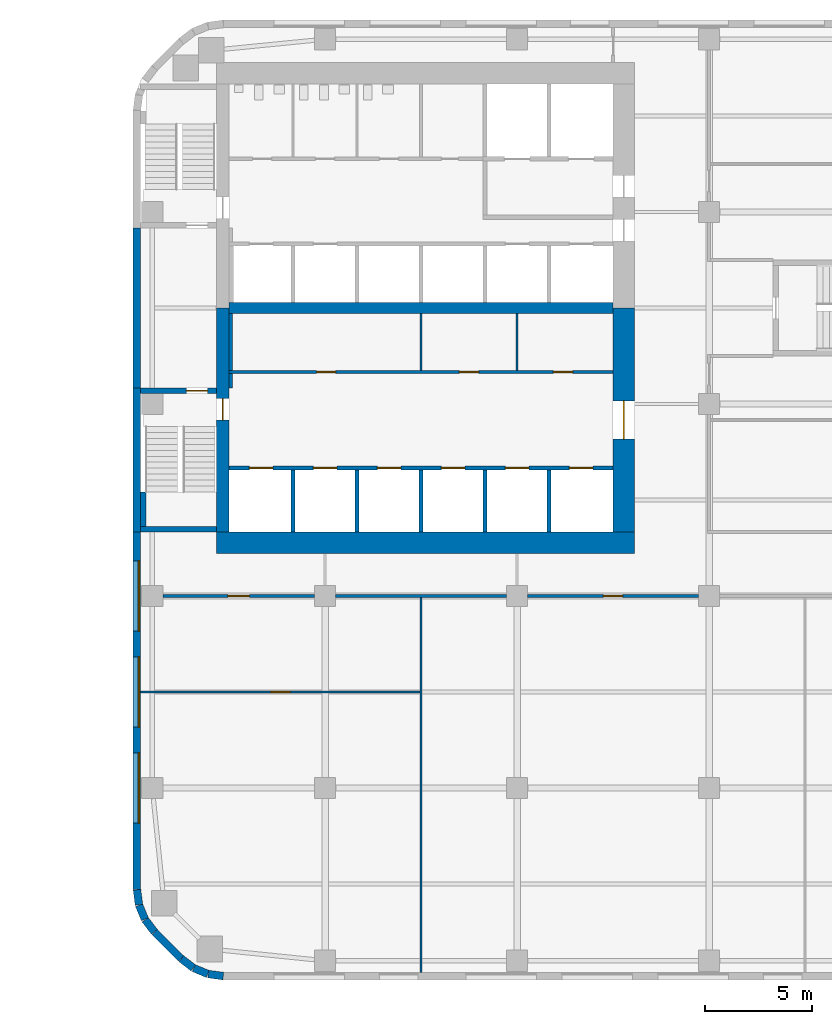
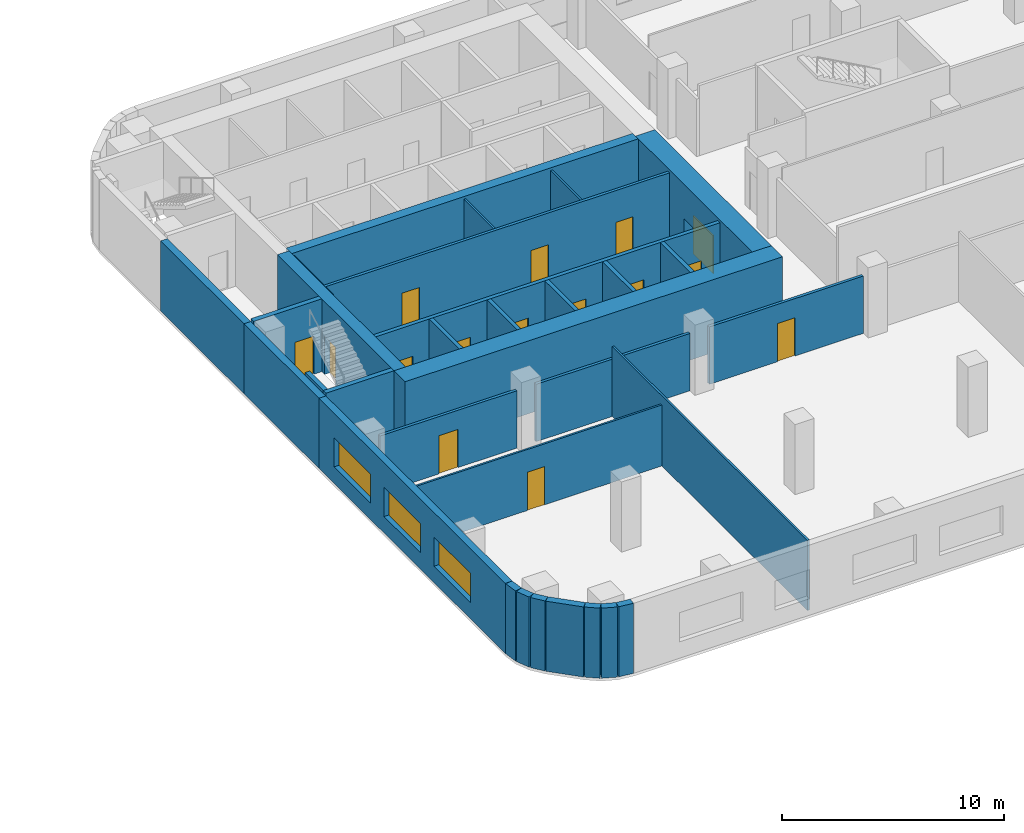
# One storey, part 9 of 16: 33 walls, 15 doors, 3 windows, 18 openings.
"""IFC4 building model written with IfcOpenShell, lengths in metres."""

import ifcopenshell
import ifcopenshell.guid

model = None  # the IFC model being written
_history = None  # IfcOwnerHistory: only IFC2X3 demands one
_inside = {}  # id of a spatial element -> (the spatial element, [elements in it])
_under = {}  # id of a project, library or spatial element -> (it, [spatial elements below it])
_declared = {}  # id of a project -> (the project, [libraries it declares])
_typed = {}  # id of a type object -> (the type object, [elements of that type])
_made_of = {}  # id of a material, layer set ... -> (it, [elements and type objects made of it])


def new_model(schema):
    """Start an empty IFC model of exactly this schema.

    Asked for "IFC4X3", IfcOpenShell would pick the latest addendum, in which some entities
    have other attributes; the version numbers below select the first issue.
    IFC2X3 requires an IfcOwnerHistory on every rooted entity: one is made here for all.
    """
    global model, _history
    if schema == "IFC4X3":
        model = ifcopenshell.file(schema_version=(4, 3, 0, 0))
    else:
        model = ifcopenshell.file(schema=schema)
    _inside.clear()
    _under.clear()
    _declared.clear()
    _typed.clear()
    _made_of.clear()
    _history = None
    if model.schema == "IFC2X3":
        org = make("IfcOrganization", Name="unknown")
        user = make(
            "IfcPersonAndOrganization",
            ThePerson=make("IfcPerson", FamilyName="unknown"),
            TheOrganization=org,
        )
        app = make(
            "IfcApplication",
            ApplicationDeveloper=org,
            Version="unknown",
            ApplicationFullName="unknown",
            ApplicationIdentifier="unknown",
        )
        _history = make(
            "IfcOwnerHistory",
            OwningUser=user,
            OwningApplication=app,
            ChangeAction="ADDED",
            CreationDate=0,
        )
    return model


def make(cls, **values):
    """One entity of the class cls with the attributes given. An attribute that is None is left unset."""
    return model.create_entity(
        cls, **{name: value for name, value in values.items() if value is not None}
    )


def rooted(cls, **values):
    """An entity with a GlobalId (a new one), such as an element, a storey or a relation."""
    return make(cls, GlobalId=ifcopenshell.guid.new(), OwnerHistory=_history, **values)


def si_unit(unit_type, name, prefix=None):
    """IfcSIUnit, for example si_unit("LENGTHUNIT", "METRE", prefix="MILLI")."""
    return make("IfcSIUnit", UnitType=unit_type, Prefix=prefix, Name=name)


def assignment(units):
    """IfcUnitAssignment: the units of a project."""
    return None if units is None else make("IfcUnitAssignment", Units=units)


def point(xyz):
    """IfcCartesianPoint."""
    return None if xyz is None else make("IfcCartesianPoint", Coordinates=xyz)


def direction(xyz):
    """IfcDirection."""
    return None if xyz is None else make("IfcDirection", DirectionRatios=xyz)


def frame(location, z_axis=None, x_axis=None):
    """IfcAxis2Placement3D, a coordinate frame: its origin and axes. An axis left out is left unset."""
    return make(
        "IfcAxis2Placement3D",
        Location=point(location),
        Axis=direction(z_axis),
        RefDirection=direction(x_axis),
    )


def frame_2d(location, x_axis=None):
    """IfcAxis2Placement2D, a coordinate frame in the plane: its origin and x axis."""
    return make(
        "IfcAxis2Placement2D", Location=point(location), RefDirection=direction(x_axis)
    )


def origin():
    """The frame at (0, 0, 0) with its axes left unset."""
    return frame((0.0, 0.0, 0.0))


def place(relative_to, where):
    """IfcLocalPlacement: puts the frame where relative to a parent placement (None: the world)."""
    return make(
        "IfcLocalPlacement", PlacementRelTo=relative_to, RelativePlacement=where
    )


def context(
    kind, dimensions, precision=None, world=None, true_north=None, identifier=None
):
    """IfcGeometricRepresentationContext, for example the 3D "Model" context."""
    return make(
        "IfcGeometricRepresentationContext",
        ContextIdentifier=identifier,
        ContextType=kind,
        CoordinateSpaceDimension=dimensions,
        Precision=precision,
        WorldCoordinateSystem=world,
        TrueNorth=true_north,
    )


def subcontext(parent, identifier, kind, view, scale=None):
    """IfcGeometricRepresentationSubContext, for example "Body" below "Model"."""
    return make(
        "IfcGeometricRepresentationSubContext",
        ContextIdentifier=identifier,
        ContextType=kind,
        ParentContext=parent,
        TargetScale=scale,
        TargetView=view,
    )


def project(units=None, contexts=None):
    """IfcProject with its units and contexts."""
    return rooted(
        "IfcProject",
        Name="project",
        RepresentationContexts=contexts,
        UnitsInContext=assignment(units),
    )


def spatial(cls, under=None, at=None, **own):
    """A site, building, storey or space (cls), placed at a placement, below another one or the project."""
    s = rooted(cls, ObjectPlacement=at, **own)
    if under is not None:
        _under.setdefault(under.id(), (under, []))[1].append(s)
    return s


def profile(cls, at=None, kind="AREA", **sizes):
    """A parametric profile (cls). Its sizes go by their IFC names, for example OverallWidth=200.0."""
    return make(cls, ProfileType=kind, Position=at, **sizes)


def rectangle(**sizes):
    """IfcRectangleProfileDef."""
    return profile("IfcRectangleProfileDef", **sizes)


def extrude(swept, where, along, depth):
    """IfcExtrudedAreaSolid: the profile swept, set in the frame where, extruded along a direction by depth."""
    return make(
        "IfcExtrudedAreaSolid",
        SweptArea=swept,
        Position=where,
        ExtrudedDirection=direction(along),
        Depth=depth,
    )


def shape(context_of_items, identifier, shape_type, items):
    """IfcShapeRepresentation: the items that make up one representation, for example the "Body"."""
    return make(
        "IfcShapeRepresentation",
        ContextOfItems=context_of_items,
        RepresentationIdentifier=identifier,
        RepresentationType=shape_type,
        Items=items,
    )


def material(Name=None, Category=None):
    """IfcMaterial."""
    return make("IfcMaterial", Name=Name, Category=Category)


def layer(
    of_material, thickness, ventilated=None, Name=None, Category=None, Priority=None
):
    """IfcMaterialLayer: one layer of a wall or slab, of a material (None: an air gap)."""
    return make(
        "IfcMaterialLayer",
        Material=of_material,
        LayerThickness=thickness,
        IsVentilated=ventilated,
        Name=Name,
        Category=Category,
        Priority=Priority,
    )


def layer_set(layers, Name=None):
    """IfcMaterialLayerSet."""
    return make("IfcMaterialLayerSet", MaterialLayers=layers, LayerSetName=Name)


def made_of(thing, what):
    """Note that an element or type object is made of a material, layer set ...; save() writes the relation."""
    if what is not None:
        _made_of.setdefault(what.id(), (what, []))[1].append(thing)
    return thing


def type_object(cls, material=None, **own):
    """A type object (cls), such as IfcWallType, which elements share."""
    return made_of(rooted(cls, **own), material)


def element(
    cls,
    number,
    at=None,
    inside=None,
    cuts=None,
    type_object=None,
    material=None,
    context=None,
    identifier="Body",
    shape_type=None,
    held_by="IfcProductDefinitionShape",
    body=None,
    shapes=None,
    **own,
):
    """One element of the class cls, such as IfcWall. Its Tag is "e" and its number.

    at: its placement. inside: the storey or other place that contains it. cuts: it is an
    opening in that element (IfcRelVoidsElement). A single representation is given by context,
    identifier, shape_type and body (its items); several are given by shapes. held_by: the class
    of the entity that holds the representations. save() writes the other relations.
    """
    e = rooted(cls, Tag="e%d" % number, ObjectPlacement=at, **own)
    if body is not None:
        shapes = [shape(context, identifier, shape_type, body)]
    if shapes is not None:
        e.Representation = make(held_by, Representations=shapes)
    if inside is not None:
        _inside.setdefault(inside.id(), (inside, []))[1].append(e)
    if cuts is not None:
        rooted(
            "IfcRelVoidsElement", RelatingBuildingElement=cuts, RelatedOpeningElement=e
        )
    if type_object is not None:
        _typed.setdefault(type_object.id(), (type_object, []))[1].append(e)
    return made_of(e, material)


def fill(opening, filler):
    """IfcRelFillsElement: the door or window that sits in an opening."""
    return rooted(
        "IfcRelFillsElement",
        RelatingOpeningElement=opening,
        RelatedBuildingElement=filler,
    )


def aggregate(whole, parts):
    """IfcRelAggregates: a whole, such as a stair, and the parts it consists of."""
    return rooted("IfcRelAggregates", RelatingObject=whole, RelatedObjects=parts)


def save(model, path):
    """Write the relations noted so far, then the file.

    IfcRelAggregates (storeys below a building ...), IfcRelContainedInSpatialStructure (elements
    in a storey), IfcRelDefinesByType, IfcRelAssociatesMaterial and IfcRelDeclares: one each for
    every whole, place, type object, material and project.
    """
    for whole, parts in _under.values():
        aggregate(whole, parts)
    for where, things in _inside.values():
        rooted(
            "IfcRelContainedInSpatialStructure",
            RelatedElements=things,
            RelatingStructure=where,
        )
    for kind, things in _typed.values():
        rooted("IfcRelDefinesByType", RelatedObjects=things, RelatingType=kind)
    for what, things in _made_of.values():
        rooted("IfcRelAssociatesMaterial", RelatedObjects=things, RelatingMaterial=what)
    for by, libraries in _declared.values():
        rooted("IfcRelDeclares", RelatingContext=by, RelatedDefinitions=libraries)
    model.write(path)


model = new_model("IFC4")

# Units and contexts
model_context = context("Model", 3, precision=1e-05, world=origin(), true_north=direction((0.0, 1.0)))
body_context = subcontext(model_context, "Body", "Model", "MODEL_VIEW")
ifc_project = project(units=[si_unit("LENGTHUNIT", "METRE"), si_unit("AREAUNIT", "SQUARE_METRE"), si_unit("VOLUMEUNIT", "CUBIC_METRE"), si_unit("PLANEANGLEUNIT", "RADIAN"), si_unit("MASSUNIT", "GRAM", prefix="KILO")], contexts=[model_context])

# Site, building, storey
site_placement = place(None, origin())
site = spatial("IfcSite", under=ifc_project, at=site_placement, CompositionType="ELEMENT")
building_placement = place(site_placement, origin())
building = spatial("IfcBuilding", under=site, at=building_placement, Name="Cinnabar Reach Civic Tower", CompositionType="ELEMENT")
storey_placement = place(building_placement, frame((0.0, 0.0, 34.0)))
storey = spatial("IfcBuildingStorey", under=building, at=storey_placement, Name="L07", CompositionType="ELEMENT", Elevation=34.0)

# Walls
ifc_material_1 = material(Name="Facing brick with insulated backing", Category="masonry")
ifc_layer_1 = layer(ifc_material_1, 0.36)
ifc_layer_set_1 = layer_set([ifc_layer_1], Name="Brick corner wall")
wall_type_1 = type_object("IfcWallType", Name="Brick corner wall", PredefinedType="STANDARD", material=ifc_layer_set_1)
for number, where, z_axis, x_axis, name in (
    (1, (0.183, 4.2314, 0.0), (0.0, 0.0, 1.0), (0.13055608231, -0.99144092581, 0.0), "Brick corner wall"),
    (2, (0.2819, 3.5027, 0.0), (0.0, 0.0, 1.0), (0.382702709855, -0.923871547278, 0.0), "Brick corner wall"),
):
    element("IfcWall", number, at=place(storey_placement, frame(where, z_axis=z_axis, x_axis=x_axis)), inside=storey, type_object=wall_type_1, Name=name, PredefinedType="STANDARD", context=body_context, shape_type="SweptSolid", body=[
        extrude(rectangle(XDim=0.7131, YDim=0.36, at=frame_2d((0.3565, 0.0))), origin(), (0.0, 0.0, 1.0), 3.85),
    ])
for number, where, z_axis, x_axis, name in (
    (3, (0.566, 2.8245, 0.0), (0.0, 0.0, 1.0), (0.608802368033, -0.793321924995, 0.0), "Brick corner wall"),
    (4, (2.2587, 1.0002, 0.0), (0.0, 0.0, 1.0), (0.793321924995, -0.608802368033, 0.0), "Brick corner wall"),
):
    element("IfcWall", number, at=place(storey_placement, frame(where, z_axis=z_axis, x_axis=x_axis)), inside=storey, type_object=wall_type_1, Name=name, PredefinedType="STANDARD", context=body_context, shape_type="SweptSolid", body=[
        extrude(rectangle(XDim=0.7132, YDim=0.36, at=frame_2d((0.3566, 0.0))), origin(), (0.0, 0.0, 1.0), 3.85),
    ])
for number, where, z_axis, x_axis, name in (
    (5, (2.8439, 0.5548, 0.0), (0.0, 0.0, 1.0), (0.923871547278, -0.382702709855, 0.0), "Brick corner wall"),
    (6, (3.5244, 0.2761, 0.0), (0.0, 0.0, 1.0), (0.99144092581, -0.13055608231, 0.0), "Brick corner wall"),
):
    element("IfcWall", number, at=place(storey_placement, frame(where, z_axis=z_axis, x_axis=x_axis)), inside=storey, type_object=wall_type_1, Name=name, PredefinedType="STANDARD", context=body_context, shape_type="SweptSolid", body=[
        extrude(rectangle(XDim=0.7131, YDim=0.36, at=frame_2d((0.3565, 0.0))), origin(), (0.0, 0.0, 1.0), 3.85),
    ])
ifc_layer_2 = layer(ifc_material_1, 0.36)
ifc_layer_set_2 = layer_set([ifc_layer_2], Name="Brick pier and spandrel wall")
wall_type_2 = type_object("IfcWallType", Name="Brick pier and spandrel wall", PredefinedType="STANDARD", material=ifc_layer_set_2)
wall_1_placement = place(storey_placement, frame((0.18, 35.25, 0.0), z_axis=(0.0, 0.0, 1.0), x_axis=(0.0, -1.0, 0.0)))
element("IfcWall", 7, at=wall_1_placement, inside=storey, type_object=wall_type_2, Name="Brick facade wall", PredefinedType="STANDARD", context=body_context, shape_type="SweptSolid", body=[
    extrude(rectangle(XDim=7.5, YDim=0.36, at=frame_2d((3.75, 0.0))), origin(), (0.0, 0.0, 1.0), 3.85),
])
wall_2_placement = place(storey_placement, frame((0.18, 27.75, 0.0), z_axis=(0.0, 0.0, 1.0), x_axis=(0.0, -1.0, 0.0)))
element("IfcWall", 8, at=wall_2_placement, inside=storey, type_object=wall_type_2, Name="Brick facade wall", PredefinedType="STANDARD", context=body_context, shape_type="SweptSolid", body=[
    extrude(rectangle(XDim=6.75, YDim=0.36, at=frame_2d((3.375, 0.0))), origin(), (0.0, 0.0, 1.0), 3.85),
])

# Wall, openings, windows
wall_3_placement = place(storey_placement, frame((0.18, 21.0, 0.0), z_axis=(0.0, 0.0, 1.0), x_axis=(0.0, -1.0, 0.0)))
wall_3 = element("IfcWall", 9, at=wall_3_placement, inside=storey, type_object=wall_type_2, Name="Brick facade wall", PredefinedType="STANDARD", context=body_context, shape_type="SweptSolid", body=[
    extrude(rectangle(XDim=16.7574, YDim=0.36, at=frame_2d((8.3787, 0.0))), origin(), (0.0, 0.0, 1.0), 3.85),
])
opening_1_placement = place(wall_3_placement, frame((1.35, 0.0, 0.9)))
opening_1 = element("IfcOpeningElement", 10, at=opening_1_placement, cuts=wall_3, Name="Opening W1075", PredefinedType="OPENING", context=body_context, shape_type="SweptSolid", body=[
    extrude(rectangle(XDim=3.3, YDim=1.6, at=frame_2d((1.65, 0.8))), frame((0.0, 0.19, 0.0), z_axis=(0.0, -1.0, 0.0), x_axis=(1.0, 0.0, 0.0)), (0.0, 0.0, 1.0), 0.38),
])
opening_2_placement = place(wall_3_placement, frame((5.85, 0.0, 0.9)))
opening_2 = element("IfcOpeningElement", 11, at=opening_2_placement, cuts=wall_3, Name="Opening W1076", PredefinedType="OPENING", context=body_context, shape_type="SweptSolid", body=[
    extrude(rectangle(XDim=3.3, YDim=1.6, at=frame_2d((1.65, 0.8))), frame((0.0, 0.19, 0.0), z_axis=(0.0, -1.0, 0.0), x_axis=(1.0, 0.0, 0.0)), (0.0, 0.0, 1.0), 0.38),
])
opening_3_placement = place(wall_3_placement, frame((10.35, 0.0, 0.9)))
opening_3 = element("IfcOpeningElement", 12, at=opening_3_placement, cuts=wall_3, Name="Opening W1077", PredefinedType="OPENING", context=body_context, shape_type="SweptSolid", body=[
    extrude(rectangle(XDim=3.3, YDim=1.6, at=frame_2d((1.65, 0.8))), frame((0.0, 0.19, 0.0), z_axis=(0.0, -1.0, 0.0), x_axis=(1.0, 0.0, 0.0)), (0.0, 0.0, 1.0), 0.38),
])
ifc_material_2 = material(Name="Clear double glazing in aluminium frame", Category="aluminium")
window_type = type_object("IfcWindowType", Name="Deep-set window A", PartitioningType="SINGLE_PANEL", PredefinedType="WINDOW", material=ifc_material_2)
window_1_placement = place(opening_1_placement, origin())
window_1 = element("IfcWindow", 13, at=window_1_placement, inside=storey, type_object=window_type, Name="Window west face", OverallHeight=1.6, OverallWidth=3.3, PartitioningType="SINGLE_PANEL", PredefinedType="WINDOW", context=body_context, shape_type="SweptSolid", body=[
    extrude(rectangle(XDim=3.3, YDim=1.6, at=frame_2d((1.65, 0.8))), frame((0.0, 0.13, 0.0), z_axis=(0.0, -1.0, 0.0), x_axis=(1.0, 0.0, 0.0)), (0.0, 0.0, 1.0), 0.06),
])
fill(opening_1, window_1)
window_2_placement = place(opening_2_placement, origin())
window_2 = element("IfcWindow", 14, at=window_2_placement, inside=storey, type_object=window_type, Name="Window west face", OverallHeight=1.6, OverallWidth=3.3, PartitioningType="SINGLE_PANEL", PredefinedType="WINDOW", context=body_context, shape_type="SweptSolid", body=[
    extrude(rectangle(XDim=3.3, YDim=1.6, at=frame_2d((1.65, 0.8))), frame((0.0, 0.13, 0.0), z_axis=(0.0, -1.0, 0.0), x_axis=(1.0, 0.0, 0.0)), (0.0, 0.0, 1.0), 0.06),
])
fill(opening_2, window_2)
window_3_placement = place(opening_3_placement, origin())
window_3 = element("IfcWindow", 15, at=window_3_placement, inside=storey, type_object=window_type, Name="Window west face", OverallHeight=1.6, OverallWidth=3.3, PartitioningType="SINGLE_PANEL", PredefinedType="WINDOW", context=body_context, shape_type="SweptSolid", body=[
    extrude(rectangle(XDim=3.3, YDim=1.6, at=frame_2d((1.65, 0.8))), frame((0.0, 0.13, 0.0), z_axis=(0.0, -1.0, 0.0), x_axis=(1.0, 0.0, 0.0)), (0.0, 0.0, 1.0), 0.06),
])
fill(opening_3, window_3)

# Walls
wall_4_placement = place(storey_placement, frame((1.006, 2.2486, 0.0), z_axis=(0.0, 0.0, 1.0), x_axis=(0.707106781187, -0.707106781187, 0.0)))
element("IfcWall", 16, at=wall_4_placement, inside=storey, type_object=wall_type_2, Name="Brick facade wall", PredefinedType="STANDARD", context=body_context, shape_type="SweptSolid", body=[
    extrude(rectangle(XDim=1.7573, YDim=0.36, at=frame_2d((0.8787, 0.0))), origin(), (0.0, 0.0, 1.0), 3.85),
])
ifc_material_3 = material(Name="Concrete C70", Category="concrete")
ifc_layer_3 = layer(ifc_material_3, 1.0)
ifc_layer_set_3 = layer_set([ifc_layer_3], Name="Core wall 1000 EI 180")
wall_type_3 = type_object("IfcWallType", Name="Core wall 1000 EI 180", PredefinedType="SOLIDWALL", material=ifc_layer_set_3)
wall_5_placement = place(storey_placement, frame((3.9, 20.5, 0.0), z_axis=(0.0, 0.0, 1.0), x_axis=(1.0, 0.0, 0.0)))
element("IfcWall", 17, at=wall_5_placement, inside=storey, type_object=wall_type_3, Name="Core wall T1 L07 S", PredefinedType="SOLIDWALL", context=body_context, shape_type="SweptSolid", body=[
    extrude(rectangle(XDim=19.6, YDim=1.0, at=frame_2d((9.8, 0.0))), origin(), (0.0, 0.0, 1.0), 4.0),
])

# Wall, opening, door
wall_6_placement = place(storey_placement, frame((23.0, 21.0, 0.0), z_axis=(0.0, 0.0, 1.0), x_axis=(0.0, 1.0, 0.0)))
wall_6 = element("IfcWall", 18, at=wall_6_placement, inside=storey, type_object=wall_type_3, Name="Core wall T1 L07 E", PredefinedType="SOLIDWALL", context=body_context, shape_type="SweptSolid", body=[
    extrude(rectangle(XDim=10.5, YDim=1.0, at=frame_2d((5.25, 0.0))), origin(), (0.0, 0.0, 1.0), 4.0),
])
opening_4_placement = place(wall_6_placement, frame((4.35, 0.0, 0.0)))
opening_4 = element("IfcOpeningElement", 19, at=opening_4_placement, cuts=wall_6, Name="Opening D3288", PredefinedType="OPENING", context=body_context, shape_type="SweptSolid", body=[
    extrude(rectangle(XDim=1.8, YDim=2.1, at=frame_2d((0.9, 1.05))), frame((0.0, 0.51, 0.0), z_axis=(0.0, -1.0, 0.0), x_axis=(1.0, 0.0, 0.0)), (0.0, 0.0, 1.0), 1.02),
])
ifc_material_4 = material(Name="Timber door leaf in steel frame", Category="steel")
door_type_1 = type_object("IfcDoorType", Name="Double swing door 1800 x 2100 T1", OperationType="DOUBLE_DOOR_DOUBLE_SWING", PredefinedType="DOOR", material=ifc_material_4)
door_1_placement = place(opening_4_placement, origin())
door_1 = element("IfcDoor", 20, at=door_1_placement, inside=storey, type_object=door_type_1, Name="Door D3288", OperationType="DOUBLE_DOOR_DOUBLE_SWING", OverallHeight=2.1, OverallWidth=1.8, PredefinedType="DOOR", context=body_context, shape_type="SweptSolid", body=[
    extrude(rectangle(XDim=1.8, YDim=2.1, at=frame_2d((0.9, 1.05))), frame((0.0, 0.025, 0.0), z_axis=(0.0, -1.0, 0.0), x_axis=(1.0, 0.0, 0.0)), (0.0, 0.0, 1.0), 0.05),
])
fill(opening_4, door_1)

# Wall
ifc_material_5 = material(Name="Concrete C60", Category="concrete")
ifc_layer_4 = layer(ifc_material_5, 0.5)
ifc_layer_set_4 = layer_set([ifc_layer_4], Name="Core wall 500 EI 180")
wall_type_4 = type_object("IfcWallType", Name="Core wall 500 EI 180", PredefinedType="SOLIDWALL", material=ifc_layer_set_4)
wall_7_placement = place(storey_placement, frame((4.5, 31.5, 0.0), z_axis=(0.0, 0.0, 1.0), x_axis=(1.0, 0.0, 0.0)))
element("IfcWall", 21, at=wall_7_placement, inside=storey, type_object=wall_type_4, Name="Core spine wall T1 L07", PredefinedType="SOLIDWALL", context=body_context, shape_type="SweptSolid", body=[
    extrude(rectangle(XDim=18.0, YDim=0.5, at=frame_2d((9.0, 0.0))), origin(), (0.0, 0.0, 1.0), 4.0),
])

# Wall, opening, door
ifc_layer_5 = layer(ifc_material_3, 0.6)
ifc_layer_set_5 = layer_set([ifc_layer_5], Name="Core wall 600 EI 180")
wall_type_5 = type_object("IfcWallType", Name="Core wall 600 EI 180", PredefinedType="SOLIDWALL", material=ifc_layer_set_5)
wall_8_placement = place(storey_placement, frame((4.2, 31.5, 0.0), z_axis=(0.0, 0.0, 1.0), x_axis=(0.0, -1.0, 0.0)))
wall_8 = element("IfcWall", 22, at=wall_8_placement, inside=storey, type_object=wall_type_5, Name="Core wall T1 L07 W2", PredefinedType="SOLIDWALL", context=body_context, shape_type="SweptSolid", body=[
    extrude(rectangle(XDim=10.5, YDim=0.6, at=frame_2d((5.25, 0.0))), origin(), (0.0, 0.0, 1.0), 4.0),
])
opening_5_placement = place(wall_8_placement, frame((4.25, 0.0, 0.0)))
opening_5 = element("IfcOpeningElement", 23, at=opening_5_placement, cuts=wall_8, Name="Opening D3272", PredefinedType="OPENING", context=body_context, shape_type="SweptSolid", body=[
    extrude(rectangle(XDim=1.0, YDim=2.1, at=frame_2d((0.5, 1.05))), frame((0.0, 0.31, 0.0), z_axis=(0.0, -1.0, 0.0), x_axis=(1.0, 0.0, 0.0)), (0.0, 0.0, 1.0), 0.62),
])
door_type_2 = type_object("IfcDoorType", Name="Stair door 1000 x 2100 T1", OperationType="SINGLE_SWING_LEFT", PredefinedType="DOOR", material=ifc_material_4)
door_2_placement = place(opening_5_placement, frame((1.0, 0.0, 0.0), z_axis=(0.0, 0.0, 1.0), x_axis=(-1.0, 0.0, 0.0)))
door_2 = element("IfcDoor", 24, at=door_2_placement, inside=storey, type_object=door_type_2, Name="Door D3272", OperationType="SINGLE_SWING_RIGHT", OverallHeight=2.1, OverallWidth=1.0, PredefinedType="DOOR", context=body_context, shape_type="SweptSolid", body=[
    extrude(rectangle(XDim=1.0, YDim=2.1, at=frame_2d((0.5, 1.05))), frame((0.0, 0.025, 0.0), z_axis=(0.0, -1.0, 0.0), x_axis=(1.0, 0.0, 0.0)), (0.0, 0.0, 1.0), 0.05),
])
fill(opening_5, door_2)

ifc_material_6 = material(Name="Gypsum board on steel studs, double layer", Category="steel")
ifc_layer_6 = layer(ifc_material_6, 0.15)
ifc_layer_set_6 = layer_set([ifc_layer_6], Name="Corridor wall 150 T1")
wall_type_6 = type_object("IfcWallType", Name="Corridor wall 150 T1", PredefinedType="PARTITIONING", material=ifc_layer_set_6)
wall_9_placement = place(storey_placement, frame((18.5, 18.0, 0.0), z_axis=(0.0, 0.0, 1.0), x_axis=(1.0, 0.0, 0.0)))
wall_9 = element("IfcWall", 25, at=wall_9_placement, inside=storey, type_object=wall_type_6, Name="Corridor wall 23", PredefinedType="PARTITIONING", context=body_context, shape_type="SweptSolid", body=[
    extrude(rectangle(XDim=8.0, YDim=0.15, at=frame_2d((4.0, 0.0))), origin(), (0.0, 0.0, 1.0), 3.15),
])
opening_6_placement = place(wall_9_placement, frame((3.55, 0.0, 0.0)))
opening_6 = element("IfcOpeningElement", 26, at=opening_6_placement, cuts=wall_9, Name="Opening D3307", PredefinedType="OPENING", context=body_context, shape_type="SweptSolid", body=[
    extrude(rectangle(XDim=0.9, YDim=2.1, at=frame_2d((0.45, 1.05))), frame((0.0, 0.085, 0.0), z_axis=(0.0, -1.0, 0.0), x_axis=(1.0, 0.0, 0.0)), (0.0, 0.0, 1.0), 0.17),
])
door_type_3 = type_object("IfcDoorType", Name="Single swing door 900 x 2100 corridor T1", OperationType="SINGLE_SWING_LEFT", PredefinedType="DOOR", material=ifc_material_4)
door_3_placement = place(opening_6_placement, frame((0.9, 0.0, 0.0), z_axis=(0.0, 0.0, 1.0), x_axis=(-1.0, 0.0, 0.0)))
door_3 = element("IfcDoor", 27, at=door_3_placement, inside=storey, type_object=door_type_3, Name="Door D3307", OperationType="SINGLE_SWING_RIGHT", OverallHeight=2.1, OverallWidth=0.9, PredefinedType="DOOR", context=body_context, shape_type="SweptSolid", body=[
    extrude(rectangle(XDim=0.9, YDim=2.1, at=frame_2d((0.45, 1.05))), frame((0.0, 0.025, 0.0), z_axis=(0.0, -1.0, 0.0), x_axis=(1.0, 0.0, 0.0)), (0.0, 0.0, 1.0), 0.05),
])
fill(opening_6, door_3)

# Wall
wall_10_placement = place(storey_placement, frame((9.5, 18.0, 0.0), z_axis=(0.0, 0.0, 1.0), x_axis=(1.0, 0.0, 0.0)))
element("IfcWall", 28, at=wall_10_placement, inside=storey, type_object=wall_type_6, Name="Corridor wall 24", PredefinedType="PARTITIONING", context=body_context, shape_type="SweptSolid", body=[
    extrude(rectangle(XDim=8.0, YDim=0.15, at=frame_2d((4.0, 0.0))), origin(), (0.0, 0.0, 1.0), 3.15),
])

# Wall, opening, door
wall_11_placement = place(storey_placement, frame((1.4, 18.0, 0.0), z_axis=(0.0, 0.0, 1.0), x_axis=(1.0, 0.0, 0.0)))
wall_11 = element("IfcWall", 29, at=wall_11_placement, inside=storey, type_object=wall_type_6, Name="Corridor wall 25", PredefinedType="PARTITIONING", context=body_context, shape_type="SweptSolid", body=[
    extrude(rectangle(XDim=7.1, YDim=0.15, at=frame_2d((3.55, 0.0))), origin(), (0.0, 0.0, 1.0), 3.15),
])
opening_7_placement = place(wall_11_placement, frame((3.05, 0.0, 0.0)))
opening_7 = element("IfcOpeningElement", 30, at=opening_7_placement, cuts=wall_11, Name="Opening D3305", PredefinedType="OPENING", context=body_context, shape_type="SweptSolid", body=[
    extrude(rectangle(XDim=1.0, YDim=2.1, at=frame_2d((0.5, 1.05))), frame((0.0, 0.085, 0.0), z_axis=(0.0, -1.0, 0.0), x_axis=(1.0, 0.0, 0.0)), (0.0, 0.0, 1.0), 0.17),
])
door_type_4 = type_object("IfcDoorType", Name="Tenancy entrance door 1000 x 2100 T1", OperationType="SINGLE_SWING_LEFT", PredefinedType="DOOR", material=ifc_material_4)
door_4_placement = place(opening_7_placement, frame((1.0, 0.0, 0.0), z_axis=(0.0, 0.0, 1.0), x_axis=(-1.0, 0.0, 0.0)))
door_4 = element("IfcDoor", 31, at=door_4_placement, inside=storey, type_object=door_type_4, Name="Door D3305", OperationType="SINGLE_SWING_RIGHT", OverallHeight=2.1, OverallWidth=1.0, PredefinedType="DOOR", context=body_context, shape_type="SweptSolid", body=[
    extrude(rectangle(XDim=1.0, YDim=2.1, at=frame_2d((0.5, 1.05))), frame((0.0, 0.025, 0.0), z_axis=(0.0, -1.0, 0.0), x_axis=(1.0, 0.0, 0.0)), (0.0, 0.0, 1.0), 0.05),
])
fill(opening_7, door_4)

# Wall, openings, doors
wall_12_placement = place(storey_placement, frame((4.5, 28.5, 0.0), z_axis=(0.0, 0.0, 1.0), x_axis=(1.0, 0.0, 0.0)))
wall_12 = element("IfcWall", 32, at=wall_12_placement, inside=storey, type_object=wall_type_6, Name="Corridor wall 27", PredefinedType="PARTITIONING", context=body_context, shape_type="SweptSolid", body=[
    extrude(rectangle(XDim=18.0, YDim=0.15, at=frame_2d((9.0, 0.0))), origin(), (0.0, 0.0, 1.0), 3.85),
])
opening_8_placement = place(wall_12_placement, frame((4.1, 0.0, 0.0)))
opening_8 = element("IfcOpeningElement", 33, at=opening_8_placement, cuts=wall_12, Name="Opening D3292", PredefinedType="OPENING", context=body_context, shape_type="SweptSolid", body=[
    extrude(rectangle(XDim=0.9, YDim=2.1, at=frame_2d((0.45, 1.05))), frame((0.0, 0.085, 0.0), z_axis=(0.0, -1.0, 0.0), x_axis=(1.0, 0.0, 0.0)), (0.0, 0.0, 1.0), 0.17),
])
opening_9_placement = place(wall_12_placement, frame((10.8, 0.0, 0.0)))
opening_9 = element("IfcOpeningElement", 34, at=opening_9_placement, cuts=wall_12, Name="Opening D3293", PredefinedType="OPENING", context=body_context, shape_type="SweptSolid", body=[
    extrude(rectangle(XDim=0.9, YDim=2.1, at=frame_2d((0.45, 1.05))), frame((0.0, 0.085, 0.0), z_axis=(0.0, -1.0, 0.0), x_axis=(1.0, 0.0, 0.0)), (0.0, 0.0, 1.0), 0.17),
])
opening_10_placement = place(wall_12_placement, frame((15.2, 0.0, 0.0)))
opening_10 = element("IfcOpeningElement", 35, at=opening_10_placement, cuts=wall_12, Name="Opening D3294", PredefinedType="OPENING", context=body_context, shape_type="SweptSolid", body=[
    extrude(rectangle(XDim=0.9, YDim=2.1, at=frame_2d((0.45, 1.05))), frame((0.0, 0.085, 0.0), z_axis=(0.0, -1.0, 0.0), x_axis=(1.0, 0.0, 0.0)), (0.0, 0.0, 1.0), 0.17),
])
door_5_placement = place(opening_8_placement, origin())
door_5 = element("IfcDoor", 36, at=door_5_placement, inside=storey, type_object=door_type_3, Name="Door D3292", OperationType="SINGLE_SWING_LEFT", OverallHeight=2.1, OverallWidth=0.9, PredefinedType="DOOR", context=body_context, shape_type="SweptSolid", body=[
    extrude(rectangle(XDim=0.9, YDim=2.1, at=frame_2d((0.45, 1.05))), frame((0.0, 0.025, 0.0), z_axis=(0.0, -1.0, 0.0), x_axis=(1.0, 0.0, 0.0)), (0.0, 0.0, 1.0), 0.05),
])
fill(opening_8, door_5)
door_6_placement = place(opening_9_placement, origin())
door_6 = element("IfcDoor", 37, at=door_6_placement, inside=storey, type_object=door_type_3, Name="Door D3293", OperationType="SINGLE_SWING_RIGHT", OverallHeight=2.1, OverallWidth=0.9, PredefinedType="DOOR", context=body_context, shape_type="SweptSolid", body=[
    extrude(rectangle(XDim=0.9, YDim=2.1, at=frame_2d((0.45, 1.05))), frame((0.0, 0.025, 0.0), z_axis=(0.0, -1.0, 0.0), x_axis=(1.0, 0.0, 0.0)), (0.0, 0.0, 1.0), 0.05),
])
fill(opening_9, door_6)
door_7_placement = place(opening_10_placement, origin())
door_7 = element("IfcDoor", 38, at=door_7_placement, inside=storey, type_object=door_type_3, Name="Door D3294", OperationType="SINGLE_SWING_LEFT", OverallHeight=2.1, OverallWidth=0.9, PredefinedType="DOOR", context=body_context, shape_type="SweptSolid", body=[
    extrude(rectangle(XDim=0.9, YDim=2.1, at=frame_2d((0.45, 1.05))), frame((0.0, 0.025, 0.0), z_axis=(0.0, -1.0, 0.0), x_axis=(1.0, 0.0, 0.0)), (0.0, 0.0, 1.0), 0.05),
])
fill(opening_10, door_7)

# Walls
wall_13_placement = place(storey_placement, frame((4.575, 27.75, 0.0), z_axis=(0.0, 0.0, 1.0), x_axis=(0.0, 1.0, 0.0)))
element("IfcWall", 39, at=wall_13_placement, inside=storey, type_object=wall_type_6, Name="Corridor wall 33", PredefinedType="PARTITIONING", context=body_context, shape_type="SweptSolid", body=[
    extrude(rectangle(XDim=0.675, YDim=0.15, at=frame_2d((0.3375, 0.0))), origin(), (0.0, 0.0, 1.0), 3.85),
])
wall_14_placement = place(storey_placement, frame((4.575, 28.575, 0.0), z_axis=(0.0, 0.0, 1.0), x_axis=(0.0, 1.0, 0.0)))
element("IfcWall", 40, at=wall_14_placement, inside=storey, type_object=wall_type_6, Name="Corridor wall 34", PredefinedType="PARTITIONING", context=body_context, shape_type="SweptSolid", body=[
    extrude(rectangle(XDim=2.675, YDim=0.15, at=frame_2d((1.3375, 0.0))), origin(), (0.0, 0.0, 1.0), 3.85),
])

# Wall, openings, doors
ifc_material_7 = material(Name="Blockwork", Category="masonry")
ifc_layer_7 = layer(ifc_material_7, 0.2)
ifc_layer_set_7 = layer_set([ifc_layer_7], Name="Lift shaft wall 200 T1")
wall_type_7 = type_object("IfcWallType", Name="Lift shaft wall 200 T1", PredefinedType="PARTITIONING", material=ifc_layer_set_7)
wall_15_placement = place(storey_placement, frame((4.5, 24.0, 0.0), z_axis=(0.0, 0.0, 1.0), x_axis=(1.0, 0.0, 0.0)))
wall_15 = element("IfcWall", 41, at=wall_15_placement, inside=storey, type_object=wall_type_7, Name="Lift shaft wall 4", PredefinedType="PARTITIONING", context=body_context, shape_type="SweptSolid", body=[
    extrude(rectangle(XDim=18.0, YDim=0.2, at=frame_2d((9.0, 0.0))), origin(), (0.0, 0.0, 1.0), 3.85),
])
opening_11_placement = place(wall_15_placement, frame((0.95, 0.0, 0.0)))
opening_11 = element("IfcOpeningElement", 42, at=opening_11_placement, cuts=wall_15, Name="Opening D3276", PredefinedType="OPENING", context=body_context, shape_type="SweptSolid", body=[
    extrude(rectangle(XDim=1.1, YDim=2.1, at=frame_2d((0.55, 1.05))), frame((0.0, 0.11, 0.0), z_axis=(0.0, -1.0, 0.0), x_axis=(1.0, 0.0, 0.0)), (0.0, 0.0, 1.0), 0.22),
])
opening_12_placement = place(wall_15_placement, frame((3.95, 0.0, 0.0)))
opening_12 = element("IfcOpeningElement", 43, at=opening_12_placement, cuts=wall_15, Name="Opening D3277", PredefinedType="OPENING", context=body_context, shape_type="SweptSolid", body=[
    extrude(rectangle(XDim=1.1, YDim=2.1, at=frame_2d((0.55, 1.05))), frame((0.0, 0.11, 0.0), z_axis=(0.0, -1.0, 0.0), x_axis=(1.0, 0.0, 0.0)), (0.0, 0.0, 1.0), 0.22),
])
opening_13_placement = place(wall_15_placement, frame((6.95, 0.0, 0.0)))
opening_13 = element("IfcOpeningElement", 44, at=opening_13_placement, cuts=wall_15, Name="Opening D3278", PredefinedType="OPENING", context=body_context, shape_type="SweptSolid", body=[
    extrude(rectangle(XDim=1.1, YDim=2.1, at=frame_2d((0.55, 1.05))), frame((0.0, 0.11, 0.0), z_axis=(0.0, -1.0, 0.0), x_axis=(1.0, 0.0, 0.0)), (0.0, 0.0, 1.0), 0.22),
])
opening_14_placement = place(wall_15_placement, frame((9.95, 0.0, 0.0)))
opening_14 = element("IfcOpeningElement", 45, at=opening_14_placement, cuts=wall_15, Name="Opening D3279", PredefinedType="OPENING", context=body_context, shape_type="SweptSolid", body=[
    extrude(rectangle(XDim=1.1, YDim=2.1, at=frame_2d((0.55, 1.05))), frame((0.0, 0.11, 0.0), z_axis=(0.0, -1.0, 0.0), x_axis=(1.0, 0.0, 0.0)), (0.0, 0.0, 1.0), 0.22),
])
opening_15_placement = place(wall_15_placement, frame((12.95, 0.0, 0.0)))
opening_15 = element("IfcOpeningElement", 46, at=opening_15_placement, cuts=wall_15, Name="Opening D3280", PredefinedType="OPENING", context=body_context, shape_type="SweptSolid", body=[
    extrude(rectangle(XDim=1.1, YDim=2.1, at=frame_2d((0.55, 1.05))), frame((0.0, 0.11, 0.0), z_axis=(0.0, -1.0, 0.0), x_axis=(1.0, 0.0, 0.0)), (0.0, 0.0, 1.0), 0.22),
])
opening_16_placement = place(wall_15_placement, frame((15.95, 0.0, 0.0)))
opening_16 = element("IfcOpeningElement", 47, at=opening_16_placement, cuts=wall_15, Name="Opening D3281", PredefinedType="OPENING", context=body_context, shape_type="SweptSolid", body=[
    extrude(rectangle(XDim=1.1, YDim=2.1, at=frame_2d((0.55, 1.05))), frame((0.0, 0.11, 0.0), z_axis=(0.0, -1.0, 0.0), x_axis=(1.0, 0.0, 0.0)), (0.0, 0.0, 1.0), 0.22),
])
ifc_material_8 = material(Name="Stainless steel sliding door", Category="steel")
door_type_5 = type_object("IfcDoorType", Name="Lift landing door 1100 x 2100 T1", OperationType="SLIDING_TO_LEFT", PredefinedType="DOOR", material=ifc_material_8)
door_8_placement = place(opening_11_placement, origin())
door_8 = element("IfcDoor", 48, at=door_8_placement, inside=storey, type_object=door_type_5, Name="Lift landing door LR1 L07", OperationType="SLIDING_TO_LEFT", OverallHeight=2.1, OverallWidth=1.1, PredefinedType="DOOR", context=body_context, shape_type="SweptSolid", body=[
    extrude(rectangle(XDim=1.1, YDim=2.1, at=frame_2d((0.55, 1.05))), frame((0.0, 0.025, 0.0), z_axis=(0.0, -1.0, 0.0), x_axis=(1.0, 0.0, 0.0)), (0.0, 0.0, 1.0), 0.05),
])
fill(opening_11, door_8)
door_9_placement = place(opening_12_placement, origin())
door_9 = element("IfcDoor", 49, at=door_9_placement, inside=storey, type_object=door_type_5, Name="Lift landing door LR2 L07", OperationType="SLIDING_TO_LEFT", OverallHeight=2.1, OverallWidth=1.1, PredefinedType="DOOR", context=body_context, shape_type="SweptSolid", body=[
    extrude(rectangle(XDim=1.1, YDim=2.1, at=frame_2d((0.55, 1.05))), frame((0.0, 0.025, 0.0), z_axis=(0.0, -1.0, 0.0), x_axis=(1.0, 0.0, 0.0)), (0.0, 0.0, 1.0), 0.05),
])
fill(opening_12, door_9)
door_10_placement = place(opening_13_placement, origin())
door_10 = element("IfcDoor", 50, at=door_10_placement, inside=storey, type_object=door_type_5, Name="Lift landing door LR3 L07", OperationType="SLIDING_TO_LEFT", OverallHeight=2.1, OverallWidth=1.1, PredefinedType="DOOR", context=body_context, shape_type="SweptSolid", body=[
    extrude(rectangle(XDim=1.1, YDim=2.1, at=frame_2d((0.55, 1.05))), frame((0.0, 0.025, 0.0), z_axis=(0.0, -1.0, 0.0), x_axis=(1.0, 0.0, 0.0)), (0.0, 0.0, 1.0), 0.05),
])
fill(opening_13, door_10)
door_11_placement = place(opening_14_placement, origin())
door_11 = element("IfcDoor", 51, at=door_11_placement, inside=storey, type_object=door_type_5, Name="Lift landing door LR4 L07", OperationType="SLIDING_TO_LEFT", OverallHeight=2.1, OverallWidth=1.1, PredefinedType="DOOR", context=body_context, shape_type="SweptSolid", body=[
    extrude(rectangle(XDim=1.1, YDim=2.1, at=frame_2d((0.55, 1.05))), frame((0.0, 0.025, 0.0), z_axis=(0.0, -1.0, 0.0), x_axis=(1.0, 0.0, 0.0)), (0.0, 0.0, 1.0), 0.05),
])
fill(opening_14, door_11)
door_12_placement = place(opening_15_placement, origin())
door_12 = element("IfcDoor", 52, at=door_12_placement, inside=storey, type_object=door_type_5, Name="Lift landing door LR5 L07", OperationType="SLIDING_TO_LEFT", OverallHeight=2.1, OverallWidth=1.1, PredefinedType="DOOR", context=body_context, shape_type="SweptSolid", body=[
    extrude(rectangle(XDim=1.1, YDim=2.1, at=frame_2d((0.55, 1.05))), frame((0.0, 0.025, 0.0), z_axis=(0.0, -1.0, 0.0), x_axis=(1.0, 0.0, 0.0)), (0.0, 0.0, 1.0), 0.05),
])
fill(opening_15, door_12)
door_13_placement = place(opening_16_placement, origin())
door_13 = element("IfcDoor", 53, at=door_13_placement, inside=storey, type_object=door_type_5, Name="Lift landing door LR6 L07", OperationType="SLIDING_TO_LEFT", OverallHeight=2.1, OverallWidth=1.1, PredefinedType="DOOR", context=body_context, shape_type="SweptSolid", body=[
    extrude(rectangle(XDim=1.1, YDim=2.1, at=frame_2d((0.55, 1.05))), frame((0.0, 0.025, 0.0), z_axis=(0.0, -1.0, 0.0), x_axis=(1.0, 0.0, 0.0)), (0.0, 0.0, 1.0), 0.05),
])
fill(opening_16, door_13)

# Walls
for number, where, z_axis, x_axis, name in (
    (54, (7.5, 21.0, 0.0), (0.0, 0.0, 1.0), (0.0, 1.0, 0.0), "Lift shaft wall 9"),
    (55, (10.5, 21.0, 0.0), (0.0, 0.0, 1.0), (0.0, 1.0, 0.0), "Lift shaft wall 11"),
    (56, (13.5, 21.0, 0.0), (0.0, 0.0, 1.0), (0.0, 1.0, 0.0), "Lift shaft wall 13"),
    (57, (16.5, 21.0, 0.0), (0.0, 0.0, 1.0), (0.0, 1.0, 0.0), "Lift shaft wall 15"),
    (58, (19.5, 21.0, 0.0), (0.0, 0.0, 1.0), (0.0, 1.0, 0.0), "Lift shaft wall 17"),
):
    element("IfcWall", number, at=place(storey_placement, frame(where, z_axis=z_axis, x_axis=x_axis)), inside=storey, type_object=wall_type_7, Name=name, PredefinedType="PARTITIONING", context=body_context, shape_type="SweptSolid", body=[
        extrude(rectangle(XDim=2.9, YDim=0.2, at=frame_2d((1.45, 0.0))), origin(), (0.0, 0.0, 1.0), 3.85),
    ])
ifc_material_9 = material(Name="Gypsum board on steel studs", Category="steel")
ifc_layer_8 = layer(ifc_material_9, 0.1)
ifc_layer_set_8 = layer_set([ifc_layer_8], Name="Partition wall 100 T1")
wall_type_8 = type_object("IfcWallType", Name="Partition wall 100 T1", PredefinedType="PARTITIONING", material=ifc_layer_set_8)
wall_16_placement = place(storey_placement, frame((13.5, 0.36, 0.0), z_axis=(0.0, 0.0, 1.0), x_axis=(0.0, 1.0, 0.0)))
element("IfcWall", 59, at=wall_16_placement, inside=storey, type_object=wall_type_8, Name="Partition wall 46", PredefinedType="PARTITIONING", context=body_context, shape_type="SweptSolid", body=[
    extrude(rectangle(XDim=17.565, YDim=0.1, at=frame_2d((8.7825, 0.0))), origin(), (0.0, 0.0, 1.0), 3.85),
])

# Wall, opening, door
wall_17_placement = place(storey_placement, frame((0.36, 13.5, 0.0), z_axis=(0.0, 0.0, 1.0), x_axis=(1.0, 0.0, 0.0)))
wall_17 = element("IfcWall", 60, at=wall_17_placement, inside=storey, type_object=wall_type_8, Name="Partition wall 50", PredefinedType="PARTITIONING", context=body_context, shape_type="SweptSolid", body=[
    extrude(rectangle(XDim=13.09, YDim=0.1, at=frame_2d((6.545, 0.0))), origin(), (0.0, 0.0, 1.0), 3.35),
])
opening_17_placement = place(wall_17_placement, frame((6.1, 0.0, 0.0)))
opening_17 = element("IfcOpeningElement", 61, at=opening_17_placement, cuts=wall_17, Name="Opening D3306", PredefinedType="OPENING", context=body_context, shape_type="SweptSolid", body=[
    extrude(rectangle(XDim=0.9, YDim=2.1, at=frame_2d((0.45, 1.05))), frame((0.0, 0.06, 0.0), z_axis=(0.0, -1.0, 0.0), x_axis=(1.0, 0.0, 0.0)), (0.0, 0.0, 1.0), 0.12),
])
door_type_6 = type_object("IfcDoorType", Name="Single swing door 900 x 2100 T1", OperationType="SINGLE_SWING_LEFT", PredefinedType="DOOR", material=ifc_material_4)
door_14_placement = place(opening_17_placement, origin())
door_14 = element("IfcDoor", 62, at=door_14_placement, inside=storey, type_object=door_type_6, Name="Door D3306", OperationType="SINGLE_SWING_LEFT", OverallHeight=2.1, OverallWidth=0.9, PredefinedType="DOOR", context=body_context, shape_type="SweptSolid", body=[
    extrude(rectangle(XDim=0.9, YDim=2.1, at=frame_2d((0.45, 1.05))), frame((0.0, 0.025, 0.0), z_axis=(0.0, -1.0, 0.0), x_axis=(1.0, 0.0, 0.0)), (0.0, 0.0, 1.0), 0.05),
])
fill(opening_17, door_14)

# Walls
for number, where, z_axis, x_axis, name in (
    (63, (13.5, 28.575, 0.0), (0.0, 0.0, 1.0), (0.0, 1.0, 0.0), "Partition wall 57"),
    (64, (18.0, 28.575, 0.0), (0.0, 0.0, 1.0), (0.0, 1.0, 0.0), "Partition wall 58"),
):
    element("IfcWall", number, at=place(storey_placement, frame(where, z_axis=z_axis, x_axis=x_axis)), inside=storey, type_object=wall_type_8, Name=name, PredefinedType="PARTITIONING", context=body_context, shape_type="SweptSolid", body=[
        extrude(rectangle(XDim=2.675, YDim=0.1, at=frame_2d((1.3375, 0.0))), origin(), (0.0, 0.0, 1.0), 3.85),
    ])
ifc_layer_9 = layer(ifc_material_5, 0.25)
ifc_layer_set_9 = layer_set([ifc_layer_9], Name="Stair shaft wall 250 EI 120")
wall_type_9 = type_object("IfcWallType", Name="Stair shaft wall 250 EI 120", PredefinedType="SOLIDWALL", material=ifc_layer_set_9)
wall_18_placement = place(storey_placement, frame((0.36, 21.125, 0.0), z_axis=(0.0, 0.0, 1.0), x_axis=(1.0, 0.0, 0.0)))
element("IfcWall", 65, at=wall_18_placement, inside=storey, type_object=wall_type_9, Name="Stair shaft wall T1-S1 L07", PredefinedType="SOLIDWALL", context=body_context, shape_type="SweptSolid", body=[
    extrude(rectangle(XDim=3.54, YDim=0.25, at=frame_2d((1.77, 0.0))), origin(), (0.0, 0.0, 1.0), 4.0),
])

# Wall, opening, door
wall_19_placement = place(storey_placement, frame((3.9, 27.625, 0.0), z_axis=(0.0, 0.0, 1.0), x_axis=(-1.0, 0.0, 0.0)))
wall_19 = element("IfcWall", 66, at=wall_19_placement, inside=storey, type_object=wall_type_9, Name="Stair shaft wall T1-S1 L07", PredefinedType="SOLIDWALL", context=body_context, shape_type="SweptSolid", body=[
    extrude(rectangle(XDim=3.54, YDim=0.25, at=frame_2d((1.77, 0.0))), origin(), (0.0, 0.0, 1.0), 4.0),
])
opening_18_placement = place(wall_19_placement, frame((0.4, 0.0, 0.0)))
opening_18 = element("IfcOpeningElement", 67, at=opening_18_placement, cuts=wall_19, Name="Opening D3273", PredefinedType="OPENING", context=body_context, shape_type="SweptSolid", body=[
    extrude(rectangle(XDim=1.0, YDim=2.1, at=frame_2d((0.5, 1.05))), frame((0.0, 0.135, 0.0), z_axis=(0.0, -1.0, 0.0), x_axis=(1.0, 0.0, 0.0)), (0.0, 0.0, 1.0), 0.27),
])
door_15_placement = place(opening_18_placement, origin())
door_15 = element("IfcDoor", 68, at=door_15_placement, inside=storey, type_object=door_type_2, Name="Door D3273", OperationType="SINGLE_SWING_LEFT", OverallHeight=2.1, OverallWidth=1.0, PredefinedType="DOOR", context=body_context, shape_type="SweptSolid", body=[
    extrude(rectangle(XDim=1.0, YDim=2.1, at=frame_2d((0.5, 1.05))), frame((0.0, 0.025, 0.0), z_axis=(0.0, -1.0, 0.0), x_axis=(1.0, 0.0, 0.0)), (0.0, 0.0, 1.0), 0.05),
])
fill(opening_18, door_15)

# Wall
ifc_material_10 = material(Name="Concrete C40/50", Category="concrete")
ifc_layer_10 = layer(ifc_material_10, 0.24)
ifc_layer_set_10 = layer_set([ifc_layer_10], Name="T1 landing bearer wall 240")
wall_type_10 = type_object("IfcWallType", Name="T1 landing bearer wall 240", PredefinedType="STANDARD", material=ifc_layer_set_10)
wall_20_placement = place(storey_placement, frame((0.48, 21.25, 0.0), z_axis=(0.0, 0.0, 1.0), x_axis=(0.0, 1.0, 0.0)))
element("IfcWall", 69, at=wall_20_placement, inside=storey, type_object=wall_type_10, Name="T1-S1 landing bearer wall", PredefinedType="STANDARD", context=body_context, shape_type="SweptSolid", body=[
    extrude(rectangle(XDim=1.62, YDim=0.24, at=frame_2d((0.81, 0.0))), origin(), (0.0, 0.0, 1.0), 4.0),
])

save(model, "model.ifc")
